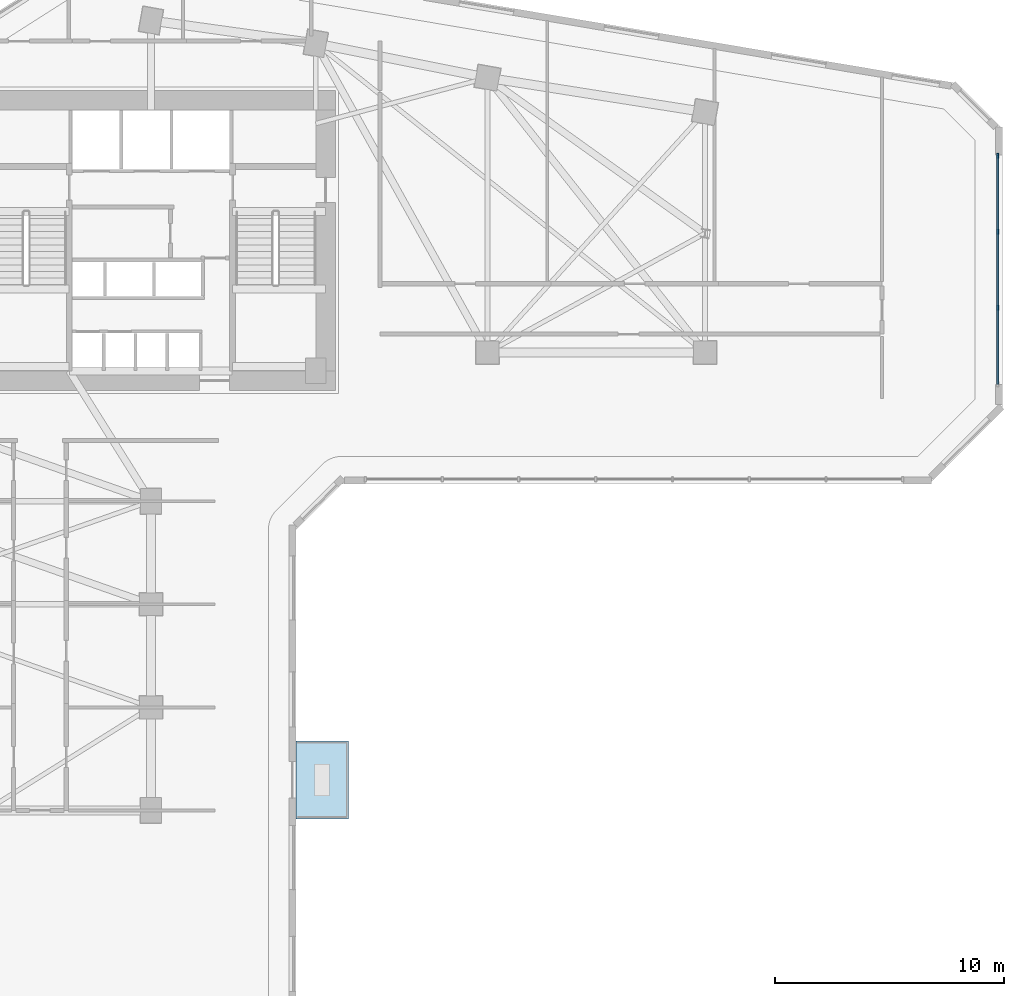
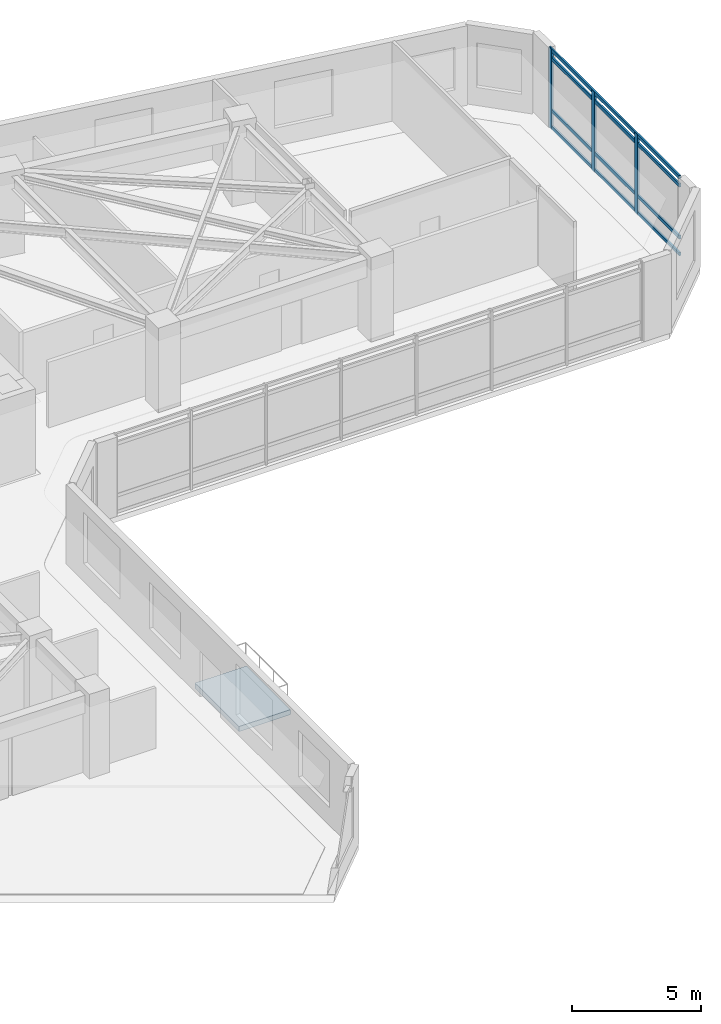
# One storey, part 4 of 11: 7 members, 1 slab, 1 element without a shape of its own.
"""IFC4 building model written with IfcOpenShell, lengths in metres."""

from ifc_helpers import new_model, si_unit, direction, frame, origin, origin_2d, place, context, subcontext, project, spatial, polyline, rectangle, outline, extrude, source, transform, mapped, material, layer, layer_set, material_profile, profile_set, type_object, element, aggregate, save


model = new_model("IFC4")

# Units and contexts
model_context = context("Model", 3, precision=1e-05, world=origin(), true_north=direction((0.0, 1.0)))
body_context = subcontext(model_context, "Body", "Model", "MODEL_VIEW")
ifc_project = project(units=[si_unit("LENGTHUNIT", "METRE"), si_unit("AREAUNIT", "SQUARE_METRE"), si_unit("VOLUMEUNIT", "CUBIC_METRE"), si_unit("PLANEANGLEUNIT", "RADIAN"), si_unit("MASSUNIT", "GRAM", prefix="KILO")], contexts=[model_context])

# Site, building, storey
site_placement = place(None, origin())
site = spatial("IfcSite", under=ifc_project, at=site_placement, CompositionType="ELEMENT")
building_placement = place(site_placement, origin())
building = spatial("IfcBuilding", under=site, at=building_placement, Name="Calvemar Wedge Station Tower", CompositionType="ELEMENT")
storey_placement = place(building_placement, frame((0.0, 0.0, 55.0)))
storey = spatial("IfcBuildingStorey", under=building, at=storey_placement, Name="L13", CompositionType="ELEMENT", Elevation=55.0)

# Curtain wall, members
ifc_material_1 = material(Name="Anodised aluminium 6063-T6", Category="aluminium")
curtain_wall_type = type_object("IfcCurtainWallType", Name="CW1", PredefinedType="NOTDEFINED", material=ifc_material_1)
curtain_wall_placement = place(storey_placement, origin())
curtain_wall = element("IfcCurtainWall", 1, at=curtain_wall_placement, inside=storey, type_object=curtain_wall_type, Name="Storey L13 CW1 Recessed Unitised Curtain Wall 8", PredefinedType="NOTDEFINED")
ifc_material_profile_1 = material_profile(ifc_material_1, rectangle(XDim=0.080078125, YDim=0.219970703125, at=origin_2d()), Name="AL-MUL-80x220")
ifc_profile_set_1 = profile_set([ifc_material_profile_1], Name="Anodised aluminium 6063-T6")
member_type_1 = type_object("IfcMemberType", Name="CW1-MUL", PredefinedType="MULLION", material=ifc_profile_set_1)
shared_shape_1 = source(origin(), body_context, "Body", "SweptSolid", [
    extrude(rectangle(XDim=0.080078125, YDim=0.219970703125, at=origin_2d()), origin(), (0.0, 0.0, 1.0), 3.800048828125),
])
member_1_placement = place(storey_placement, frame((60.7900390625, 36.947509765625, -0.050048828125), z_axis=(0.0, 0.0, 1.0), x_axis=(1.0, 0.0, 0.0)))
member_1 = element("IfcMember", 2, at=member_1_placement, type_object=member_type_1, Name="CW1 mullion 2", PredefinedType="MULLION", context=body_context, shape_type="MappedRepresentation", body=[
    mapped(shared_shape_1, transform((0.0, 0.0, 0.0), scale=1.0)),
])
member_2_placement = place(storey_placement, frame((60.7900390625, 40.272705078125, -0.050048828125), z_axis=(0.0, 0.0, 1.0), x_axis=(1.0, 0.0, 0.0)))
member_2 = element("IfcMember", 3, at=member_2_placement, type_object=member_type_1, Name="CW1 mullion 3", PredefinedType="MULLION", context=body_context, shape_type="MappedRepresentation", body=[
    mapped(shared_shape_1, transform((0.0, 0.0, 0.0), scale=1.0)),
])
member_3_placement = place(storey_placement, frame((60.7900390625, 43.597900390625, -0.050048828125), z_axis=(0.0, 0.0, 1.0), x_axis=(1.0, 0.0, 0.0)))
member_3 = element("IfcMember", 4, at=member_3_placement, type_object=member_type_1, Name="CW1 mullion 4", PredefinedType="MULLION", context=body_context, shape_type="MappedRepresentation", body=[
    mapped(shared_shape_1, transform((0.0, 0.0, 0.0), scale=1.0)),
])
ifc_material_profile_2 = material_profile(ifc_material_1, rectangle(XDim=0.080078125, YDim=0.159912109375, at=origin_2d()), Name="AL-TRN-80x160")
ifc_profile_set_2 = profile_set([ifc_material_profile_2], Name="Anodised aluminium 6063-T6")
member_type_2 = type_object("IfcMemberType", Name="CW1-TRN", PredefinedType="USERDEFINED", material=ifc_profile_set_2)
shared_shape_2 = source(origin(), body_context, "Body", "SweptSolid", [
    extrude(rectangle(XDim=0.080078125, YDim=0.159912109375, at=origin_2d()), origin(), (0.0, 0.0, 1.0), 9.975830078125),
])
member_4_placement = place(storey_placement, frame((60.7900390625, 33.6220703125, 0.06005859375), z_axis=(0.0, 1.0, 0.0), x_axis=(-1.0, 0.0, 0.0)))
member_4 = element("IfcMember", 5, at=member_4_placement, type_object=member_type_2, Name="CW1 transom 1", ObjectType="TRANSOM", PredefinedType="USERDEFINED", context=body_context, shape_type="MappedRepresentation", body=[
    mapped(shared_shape_2, transform((0.0, 0.0, 0.0), scale=1.0)),
])
member_5_placement = place(storey_placement, frame((60.7900390625, 33.6220703125, 0.85009765625), z_axis=(0.0, 1.0, 0.0), x_axis=(-1.0, 0.0, 0.0)))
member_5 = element("IfcMember", 6, at=member_5_placement, type_object=member_type_2, Name="CW1 transom 2", ObjectType="TRANSOM", PredefinedType="USERDEFINED", context=body_context, shape_type="MappedRepresentation", body=[
    mapped(shared_shape_2, transform((0.0, 0.0, 0.0), scale=1.0)),
])
member_6_placement = place(storey_placement, frame((60.7900390625, 33.6220703125, 3.300048828125), z_axis=(0.0, 1.0, 0.0), x_axis=(-1.0, 0.0, 0.0)))
member_6 = element("IfcMember", 7, at=member_6_placement, type_object=member_type_2, Name="CW1 transom 3", ObjectType="TRANSOM", PredefinedType="USERDEFINED", context=body_context, shape_type="MappedRepresentation", body=[
    mapped(shared_shape_2, transform((0.0, 0.0, 0.0), scale=1.0)),
])
member_7_placement = place(storey_placement, frame((60.7900390625, 33.6220703125, 3.68994140625), z_axis=(0.0, 1.0, 0.0), x_axis=(-1.0, 0.0, 0.0)))
member_7 = element("IfcMember", 8, at=member_7_placement, type_object=member_type_2, Name="CW1 transom 4", ObjectType="TRANSOM", PredefinedType="USERDEFINED", context=body_context, shape_type="MappedRepresentation", body=[
    mapped(shared_shape_2, transform((0.0, 0.0, 0.0), scale=1.0)),
])
aggregate(curtain_wall, [member_1, member_2, member_3, member_4, member_5, member_6, member_7])

# Slab
ifc_material_2 = material(Name="Concrete C45", Category="concrete")
ifc_layer = layer(ifc_material_2, 0.239990234375)
ifc_layer_set = layer_set([ifc_layer], Name="Concrete C45")
slab_type = type_object("IfcSlabType", Name="SL-TERR-240", PredefinedType="FLOOR", material=ifc_layer_set)
slab_placement = place(storey_placement, frame((0.0, 0.0, -0.239990234375)))
element("IfcSlab", 9, at=slab_placement, inside=storey, type_object=slab_type, Name="Storey L13 Planted Spiral Terrace Slab", PredefinedType="FLOOR", context=body_context, shape_type="SweptSolid", body=[
    extrude(outline(polyline([(30.1279296875, 14.6298828125), (32.427978515625, 14.6298828125), (32.427978515625, 18.030029296875), (30.1279296875, 18.030029296875), (30.1279296875, 14.6298828125)])), origin(), (0.0, 0.0, 1.0), 0.239990234375),
])

save(model, "model.ifc")
